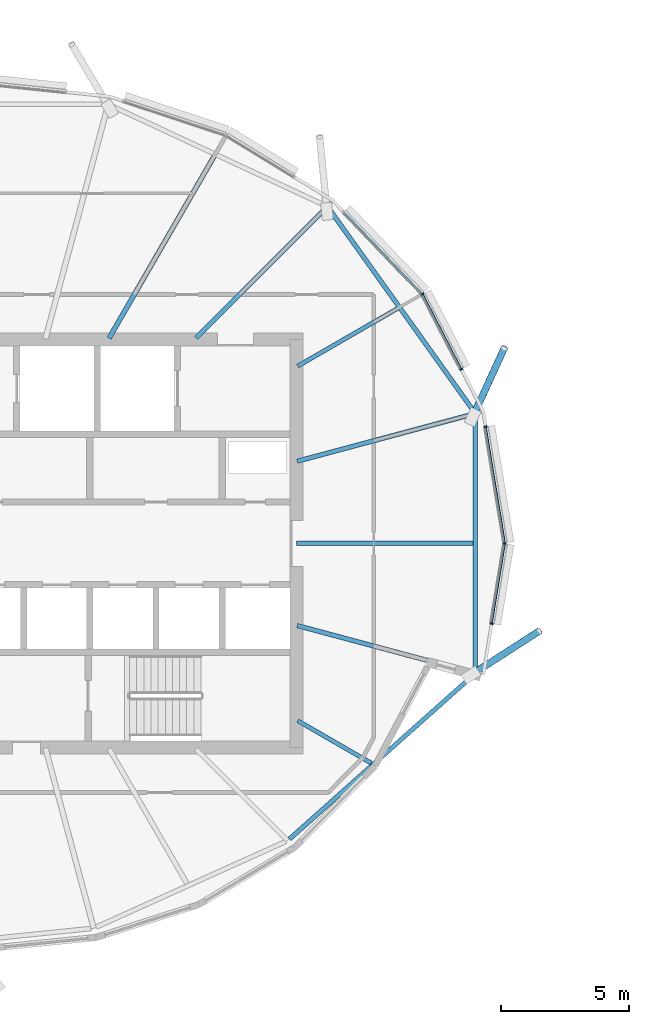
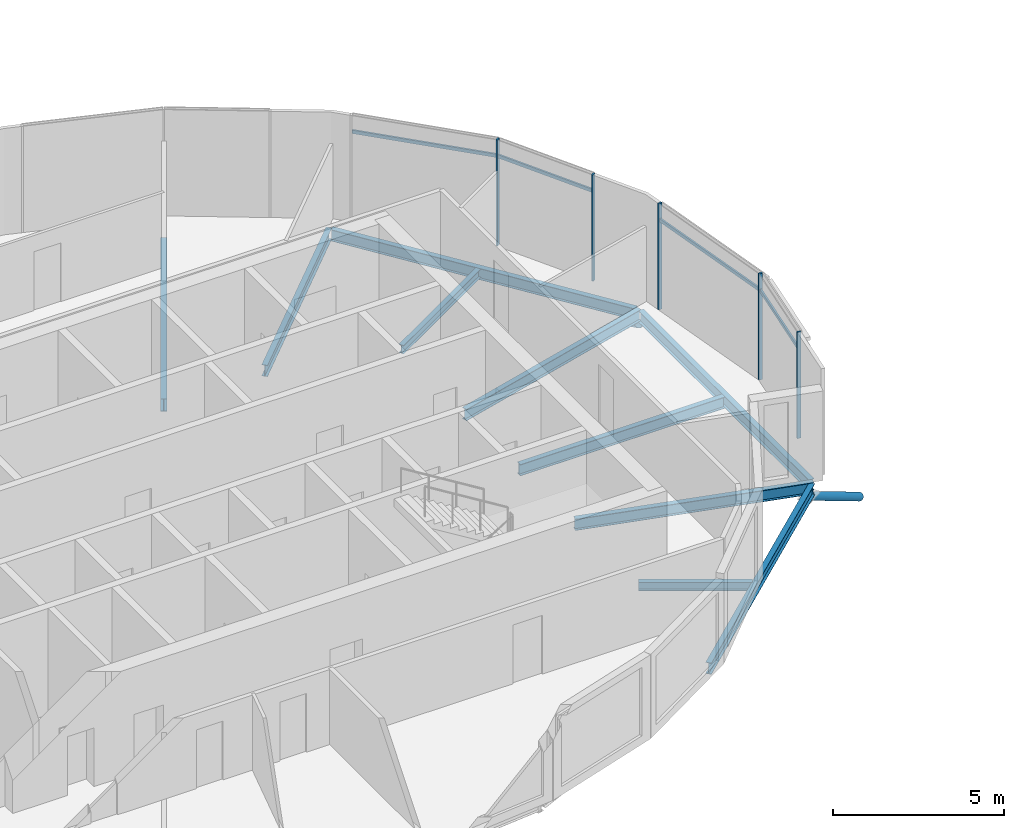
# One storey, part 6 of 34: 11 members, 10 beams, 1 element without a shape of its own.
"""IFC4 building model written with IfcOpenShell, lengths in metres."""

from ifc_helpers import new_model, si_unit, direction, frame, origin, origin_2d, place, context, subcontext, project, spatial, rectangle, hollow_circle, i_section, extrude, clip, halfspace, material, material_profile, profile_set, type_object, element, aggregate, save


model = new_model("IFC4")

# Units and contexts
model_context = context("Model", 3, precision=1e-05, world=origin(), true_north=direction((0.0, 1.0)))
body_context = subcontext(model_context, "Body", "Model", "MODEL_VIEW")
ifc_project = project(units=[si_unit("LENGTHUNIT", "METRE"), si_unit("AREAUNIT", "SQUARE_METRE"), si_unit("VOLUMEUNIT", "CUBIC_METRE"), si_unit("PLANEANGLEUNIT", "RADIAN"), si_unit("MASSUNIT", "GRAM", prefix="KILO")], contexts=[model_context])

# Site, building, storey
site_placement = place(None, origin())
site = spatial("IfcSite", under=ifc_project, at=site_placement, CompositionType="ELEMENT")
building_placement = place(site_placement, origin())
building = spatial("IfcBuilding", under=site, at=building_placement, Name="Rimbun Link Towers", CompositionType="ELEMENT")
storey_placement = place(building_placement, frame((0.0, 0.0, 252.300048828125)))
storey = spatial("IfcBuildingStorey", under=building, at=storey_placement, Name="L62", CompositionType="ELEMENT", Elevation=252.300048828125)

# Curtain wall, members
ifc_material_1 = material(Name="Aluminium 6063-T6 and low-iron glass", Category="aluminium")
curtain_wall_type = type_object("IfcCurtainWallType", Name="CW1-Z4 unitised vision wall (zone 4)", PredefinedType="NOTDEFINED", material=ifc_material_1)
curtain_wall_placement = place(storey_placement, origin())
curtain_wall = element("IfcCurtainWall", 1, at=curtain_wall_placement, inside=storey, type_object=curtain_wall_type, Name="CW1 L62 T1", PredefinedType="NOTDEFINED")
ifc_material_2 = material(Name="Aluminium 6063-T6", Category="aluminium")
ifc_material_profile_1 = material_profile(ifc_material_2, rectangle(XDim=0.1201171875, YDim=0.06005859375, at=origin_2d()), Name="MULLION 60X120")
ifc_profile_set_1 = profile_set([ifc_material_profile_1], Name="Aluminium 6063-T6")
member_type_1 = type_object("IfcMemberType", Name="CW1 mullion 60X120", PredefinedType="MULLION", material=ifc_profile_set_1)
member_1_placement = place(storey_placement, frame((-12.334228515625, 4.578125, 0.0), z_axis=(0.0, 0.0, 1.0), x_axis=(0.986747677327, 0.162262199201, 0.0)))
member_1 = element("IfcMember", 2, at=member_1_placement, type_object=member_type_1, Name="CW1 mullion", PredefinedType="MULLION", context=body_context, shape_type="SweptSolid", body=[
    extrude(rectangle(XDim=0.1201171875, YDim=0.06005859375, at=origin_2d()), origin(), (0.0, 0.0, 1.0), 3.800048828125),
])
member_2_placement = place(storey_placement, frame((-11.582275390625, 0.0, 0.0), z_axis=(0.0, 0.0, 1.0), x_axis=(1.0, 0.0, 0.0)))
member_2 = element("IfcMember", 3, at=member_2_placement, type_object=member_type_1, Name="CW1 mullion", PredefinedType="MULLION", context=body_context, shape_type="SweptSolid", body=[
    extrude(rectangle(XDim=0.1201171875, YDim=0.06005859375, at=origin_2d()), origin(), (0.0, 0.0, 1.0), 3.800048828125),
])
member_3_placement = place(storey_placement, frame((-14.816162109375, 9.783447265625, 0.0), z_axis=(0.0, 0.0, 1.0), x_axis=(0.813354276071, 0.581768701115, 0.0)))
member_3 = element("IfcMember", 4, at=member_3_placement, type_object=member_type_1, Name="CW1 mullion", PredefinedType="MULLION", context=body_context, shape_type="SweptSolid", body=[
    extrude(rectangle(XDim=0.1201171875, YDim=0.06005859375, at=origin_2d()), origin(), (0.0, 0.0, 1.0), 3.800048828125),
])
member_4_placement = place(storey_placement, frame((-13.287841796875, 6.8310546875, 0.0), z_axis=(0.0, 0.0, 1.0), x_axis=(0.888150898734, 0.459551935126, 0.0)))
member_4 = element("IfcMember", 5, at=member_4_placement, type_object=member_type_1, Name="CW1 mullion", PredefinedType="MULLION", context=body_context, shape_type="SweptSolid", body=[
    extrude(rectangle(XDim=0.1201171875, YDim=0.06005859375, at=origin_2d()), origin(), (0.0, 0.0, 1.0), 3.800048828125),
])
member_5_placement = place(storey_placement, frame((-12.09912109375, -3.1474609375, 0.0), z_axis=(0.0, 0.0, 1.0), x_axis=(0.986747677327, -0.162262199201, 0.0)))
member_5 = element("IfcMember", 6, at=member_5_placement, type_object=member_type_1, Name="CW1 mullion", PredefinedType="MULLION", context=body_context, shape_type="SweptSolid", body=[
    extrude(rectangle(XDim=0.1201171875, YDim=0.06005859375, at=origin_2d()), origin(), (0.0, 0.0, 1.0), 3.800048828125),
])
ifc_material_3 = material(Name="Aluminium 6063-T6", Category="aluminium")
ifc_material_profile_2 = material_profile(ifc_material_3, rectangle(XDim=0.06005859375, YDim=0.1201171875, at=origin_2d()), Name="TRANSOM 60X120")
ifc_profile_set_2 = profile_set([ifc_material_profile_2], Name="Aluminium 6063-T6")
member_type_2 = type_object("IfcMemberType", Name="CW1 transom 60X120", PredefinedType="USERDEFINED", material=ifc_profile_set_2)
member_6_placement = place(storey_placement, frame((-12.33154296875, 4.54833984375, 3.199951171875), z_axis=(0.162302085284, -0.986741117575, 0.0), x_axis=(0.986741117575, 0.162302085284, 0.0)))
member_6 = element("IfcMember", 7, at=member_6_placement, type_object=member_type_2, Name="CW1 transom", ObjectType="TRANSOM", PredefinedType="USERDEFINED", context=body_context, shape_type="SweptSolid", body=[
    extrude(rectangle(XDim=0.06005859375, YDim=0.1201171875, at=origin_2d()), origin(), (0.0, 0.0, 1.0), 4.56982421875),
])
member_7_placement = place(storey_placement, frame((-14.799560546875, 9.74853515625, 3.199951171875), z_axis=(0.459528996767, -0.888162767251, 0.0), x_axis=(0.888162767251, 0.459528996767, 0.0)))
member_7 = element("IfcMember", 8, at=member_7_placement, type_object=member_type_2, Name="CW1 transom", ObjectType="TRANSOM", PredefinedType="USERDEFINED", context=body_context, shape_type="SweptSolid", body=[
    extrude(rectangle(XDim=0.06005859375, YDim=0.1201171875, at=origin_2d()), origin(), (0.0, 0.0, 1.0), 3.255615234375),
])
member_8_placement = place(storey_placement, frame((-17.880126953125, 12.9775390625, 3.199951171875), z_axis=(0.692037083084, -0.721861950539, 0.0), x_axis=(0.721861950539, 0.692037083084, 0.0)))
member_8 = element("IfcMember", 9, at=member_8_placement, type_object=member_type_2, Name="CW1 transom", ObjectType="TRANSOM", PredefinedType="USERDEFINED", context=body_context, shape_type="SweptSolid", body=[
    extrude(rectangle(XDim=0.06005859375, YDim=0.1201171875, at=origin_2d()), origin(), (0.0, 0.0, 1.0), 4.3876953125),
])
member_9_placement = place(storey_placement, frame((-11.58984375, -0.0390625, 3.199951171875), z_axis=(-0.162304717263, -0.986740684655, 0.0), x_axis=(0.986740684655, -0.162304717263, 0.0)))
member_9 = element("IfcMember", 10, at=member_9_placement, type_object=member_type_2, Name="CW1 transom", ObjectType="TRANSOM", PredefinedType="USERDEFINED", context=body_context, shape_type="SweptSolid", body=[
    extrude(rectangle(XDim=0.06005859375, YDim=0.1201171875, at=origin_2d()), origin(), (0.0, 0.0, 1.0), 3.11962890625),
])
aggregate(curtain_wall, [member_1, member_2, member_3, member_4, member_5, member_6, member_7, member_8, member_9])

# Members
ifc_material_4 = material(Name="Steel S355J2H", Category="steel")
ifc_material_profile_3 = material_profile(ifc_material_4, hollow_circle(Radius=0.136474609375, WallThickness=0.012451171875, at=origin_2d()), Name="CHS 273x12.5")
ifc_profile_set_3 = profile_set([ifc_material_profile_3], Name="Steel S355J2H")
member_type_3 = type_object("IfcMemberType", Name="Floor edge link CHS 273x12.5", PredefinedType="BRACE", material=ifc_profile_set_3)
member_10_placement = place(storey_placement, frame((-12.786376953125, 5.081298828125, -0.65966796875), z_axis=(0.345464755516, 0.753218283768, -0.559746656707), x_axis=(-0.908955225226, 0.416893749694, 0.0)))
element("IfcMember", 11, at=member_10_placement, inside=storey, type_object=member_type_3, Name="Floor edge link T1 L62 01", PredefinedType="BRACE", context=body_context, shape_type="Clipping", body=[
    clip(extrude(hollow_circle(Radius=0.136474609375, WallThickness=0.012451171875, at=origin_2d()), frame((0.0, 0.0, -0.422119140625)), (0.0, 0.0, 1.0), 3.859375), halfspace(frame((0.0, 0.0, -0.19873046875), z_axis=(0.0, 0.828663792081, -0.559746656707)), False)),
])
member_11_placement = place(storey_placement, frame((-12.786376953125, -5.081298828125, -0.662109375), z_axis=(0.711036318297, 0.457791434118, -0.53371748792), x_axis=(-0.541340367747, 0.840803547952, 0.0)))
element("IfcMember", 12, at=member_11_placement, inside=storey, type_object=member_type_3, Name="Floor edge link T1 L62 23", PredefinedType="BRACE", context=body_context, shape_type="Clipping", body=[
    clip(extrude(hollow_circle(Radius=0.136474609375, WallThickness=0.012451171875, at=origin_2d()), frame((0.0, 0.0, -0.451416015625)), (0.0, 0.0, 1.0), 4.055908203125), halfspace(frame((0.0, 0.0, -0.212890625), z_axis=(0.0, 0.845662842443, -0.53371748792)), False)),
])

# Beams
ifc_material_5 = material(Name="Steel S355J2", Category="steel")
ifc_material_profile_4 = material_profile(ifc_material_5, i_section(OverallWidth=0.1650390625, OverallDepth=0.303466796875, WebThickness=0.006103515625, FlangeThickness=0.01025390625, at=origin_2d()), Name="UB 305x165x40")
ifc_profile_set_4 = profile_set([ifc_material_profile_4], Name="Steel S355J2")
beam_type_1 = type_object("IfcBeamType", Name="UB 305x165x40", PredefinedType="BEAM", material=ifc_profile_set_4)
beam_1_placement = place(storey_placement, frame((-19.7080078125, 6.952392578125, -0.291748046875), z_axis=(0.866024614991, 0.500001366228, 0.0), x_axis=(-0.500001366228, 0.866024614991, 0.0)))
element("IfcBeam", 13, at=beam_1_placement, inside=storey, type_object=beam_type_1, Name="Radial beam T1 L62 02", PredefinedType="BEAM", context=body_context, shape_type="SweptSolid", body=[
    extrude(i_section(OverallWidth=0.1650390625, OverallDepth=0.303466796875, WebThickness=0.006103515625, FlangeThickness=0.01025390625, at=origin_2d()), origin(), (0.0, 0.0, 1.0), 4.52099609375),
])
beam_2_placement = place(storey_placement, frame((-19.7080078125, -6.952392578125, -0.291748046875), z_axis=(0.866009739348, -0.500027130619, 0.0), x_axis=(0.500027130619, 0.866009739348, 0.0)))
element("IfcBeam", 14, at=beam_2_placement, inside=storey, type_object=beam_type_1, Name="Radial beam T1 L62 22", PredefinedType="BEAM", context=body_context, shape_type="SweptSolid", body=[
    extrude(i_section(OverallWidth=0.1650390625, OverallDepth=0.303466796875, WebThickness=0.006103515625, FlangeThickness=0.01025390625, at=origin_2d()), origin(), (0.0, 0.0, 1.0), 3.329345703125),
])
ifc_material_6 = material(Name="Steel S355J2", Category="steel")
ifc_material_profile_5 = material_profile(ifc_material_6, i_section(OverallWidth=0.177978515625, OverallDepth=0.406494140625, WebThickness=0.0078125, FlangeThickness=0.0126953125, at=origin_2d()), Name="UB 406x178x60")
ifc_profile_set_5 = profile_set([ifc_material_profile_5], Name="Steel S355J2")
beam_type_2 = type_object("IfcBeamType", Name="UB 406x178x60", PredefinedType="BEAM", material=ifc_profile_set_5)
beam_3_placement = place(storey_placement, frame((-19.7490234375, 0.0, -0.34326171875), z_axis=(1.0, 0.0, 0.0), x_axis=(0.0, 1.0, 0.0)))
element("IfcBeam", 15, at=beam_3_placement, inside=storey, type_object=beam_type_2, Name="Radial beam T1 L62 00", PredefinedType="BEAM", context=body_context, shape_type="SweptSolid", body=[
    extrude(i_section(OverallWidth=0.177978515625, OverallDepth=0.406494140625, WebThickness=0.0078125, FlangeThickness=0.0126953125, at=origin_2d()), origin(), (0.0, 0.0, 1.0), 6.921142578125),
])
beam_4_placement = place(storey_placement, frame((-19.72607421875, 3.2216796875, -0.34326171875), z_axis=(0.965921690002, 0.258834481442, 0.0), x_axis=(-0.258834481442, 0.965921690002, 0.0)))
element("IfcBeam", 16, at=beam_4_placement, inside=storey, type_object=beam_type_2, Name="Radial beam T1 L62 01", PredefinedType="BEAM", context=body_context, shape_type="SweptSolid", body=[
    extrude(i_section(OverallWidth=0.177978515625, OverallDepth=0.406494140625, WebThickness=0.0078125, FlangeThickness=0.0126953125, at=origin_2d()), origin(), (0.0, 0.0, 1.0), 7.234619140625),
])
beam_5_placement = place(storey_placement, frame((-23.686279296875, 8.063720703125, -0.34326171875), z_axis=(0.707106781187, 0.707106781187, 0.0), x_axis=(-0.707106781187, 0.707106781187, 0.0)))
element("IfcBeam", 17, at=beam_5_placement, inside=storey, type_object=beam_type_2, Name="Radial beam T1 L62 03", PredefinedType="BEAM", context=body_context, shape_type="SweptSolid", body=[
    extrude(i_section(OverallWidth=0.177978515625, OverallDepth=0.406494140625, WebThickness=0.0078125, FlangeThickness=0.0126953125, at=origin_2d()), origin(), (0.0, 0.0, 1.0), 7.2783203125),
])
beam_6_placement = place(storey_placement, frame((-19.72607421875, -3.2216796875, -0.34326171875), z_axis=(0.965921690002, -0.258834481442, 0.0), x_axis=(0.258834481442, 0.965921690002, 0.0)))
element("IfcBeam", 18, at=beam_6_placement, inside=storey, type_object=beam_type_2, Name="Radial beam T1 L62 23", PredefinedType="BEAM", context=body_context, shape_type="SweptSolid", body=[
    extrude(i_section(OverallWidth=0.177978515625, OverallDepth=0.406494140625, WebThickness=0.0078125, FlangeThickness=0.0126953125, at=origin_2d()), origin(), (0.0, 0.0, 1.0), 7.234619140625),
])
beam_7_placement = place(storey_placement, frame((-12.7939453125, 5.17236328125, -0.34326171875), z_axis=(-0.581518899223, 0.813532894139, 0.0), x_axis=(-0.813532894139, -0.581518899223, 0.0)))
element("IfcBeam", 19, at=beam_7_placement, inside=storey, type_object=beam_type_2, Name="Edge beam T1 L62 01-03", PredefinedType="BEAM", context=body_context, shape_type="SweptSolid", body=[
    extrude(i_section(OverallWidth=0.177978515625, OverallDepth=0.406494140625, WebThickness=0.0078125, FlangeThickness=0.0126953125, at=origin_2d()), origin(), (0.0, 0.0, 1.0), 9.789306640625),
])
beam_8_placement = place(storey_placement, frame((-20.02880859375, -11.593994140625, -0.34326171875), z_axis=(0.746435215419, 0.665458089726, 0.0), x_axis=(-0.665458089726, 0.746435215419, 0.0)))
element("IfcBeam", 20, at=beam_8_placement, inside=storey, type_object=beam_type_2, Name="Edge beam T1 L62 21-23", PredefinedType="BEAM", context=body_context, shape_type="SweptSolid", body=[
    extrude(i_section(OverallWidth=0.177978515625, OverallDepth=0.406494140625, WebThickness=0.0078125, FlangeThickness=0.0126953125, at=origin_2d()), origin(), (0.0, 0.0, 1.0), 9.659912109375),
])
beam_9_placement = place(storey_placement, frame((-12.738037109375, -5.001220703125, -0.34326171875), z_axis=(0.0, 1.0, 0.0), x_axis=(-1.0, 0.0, 0.0)))
element("IfcBeam", 21, at=beam_9_placement, inside=storey, type_object=beam_type_2, Name="Edge beam T1 L62 23-01", PredefinedType="BEAM", context=body_context, shape_type="SweptSolid", body=[
    extrude(i_section(OverallWidth=0.177978515625, OverallDepth=0.406494140625, WebThickness=0.0078125, FlangeThickness=0.0126953125, at=origin_2d()), origin(), (0.0, 0.0, 1.0), 10.00244140625),
])
ifc_material_7 = material(Name="Steel S355J2", Category="steel")
ifc_material_profile_6 = material_profile(ifc_material_7, i_section(OverallWidth=0.18994140625, OverallDepth=0.453369140625, WebThickness=0.008544921875, FlangeThickness=0.0126953125, at=origin_2d()), Name="UB 457x191x67")
ifc_profile_set_6 = profile_set([ifc_material_profile_6], Name="Steel S355J2")
beam_type_3 = type_object("IfcBeamType", Name="UB 457x191x67", PredefinedType="BEAM", material=ifc_profile_set_6)
beam_10_placement = place(storey_placement, frame((-27.103271484375, 8.04833984375, -0.36669921875), z_axis=(0.499996112969, 0.866027647951, 0.0), x_axis=(-0.866027647951, 0.499996112969, 0.0)))
element("IfcBeam", 22, at=beam_10_placement, inside=storey, type_object=beam_type_3, Name="Radial beam T1 L62 04", PredefinedType="BEAM", context=body_context, shape_type="SweptSolid", body=[
    extrude(i_section(OverallWidth=0.18994140625, OverallDepth=0.453369140625, WebThickness=0.008544921875, FlangeThickness=0.0126953125, at=origin_2d()), origin(), (0.0, 0.0, 1.0), 8.2373046875),
])

save(model, "model.ifc")
